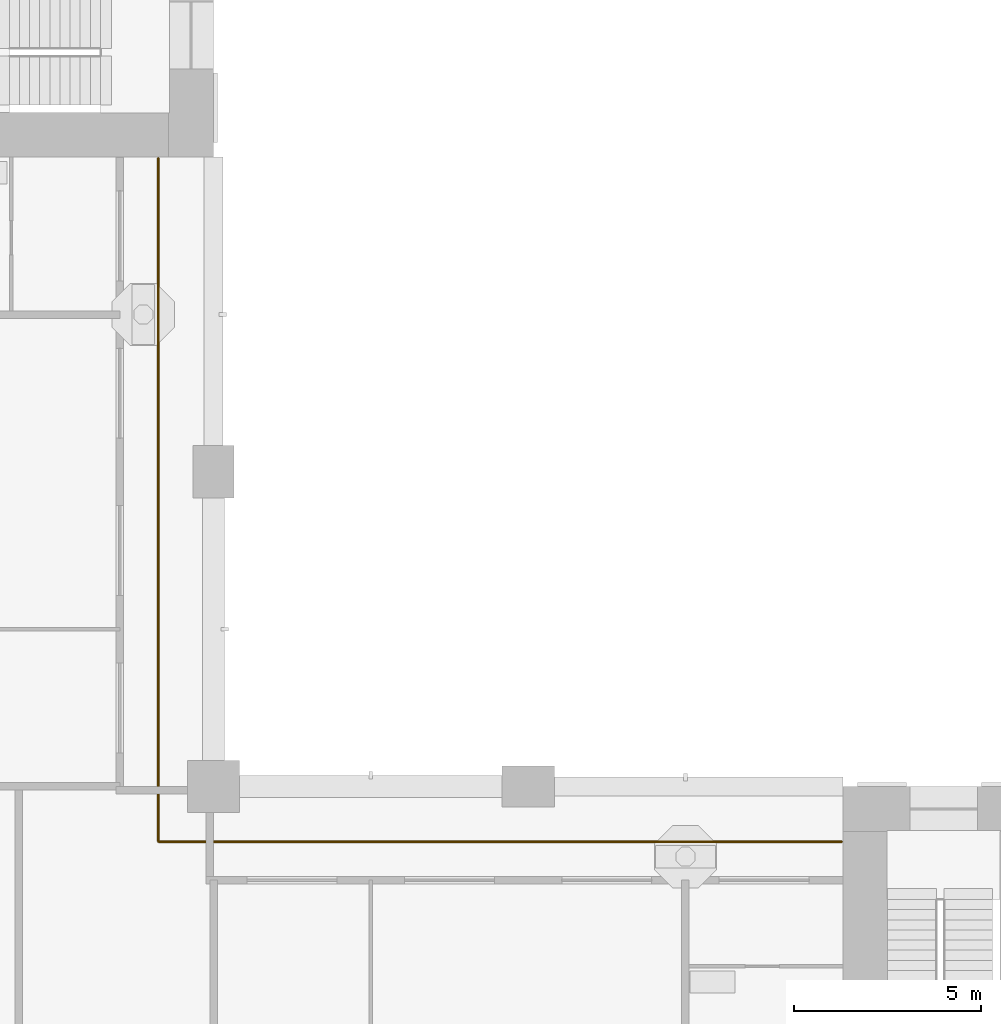
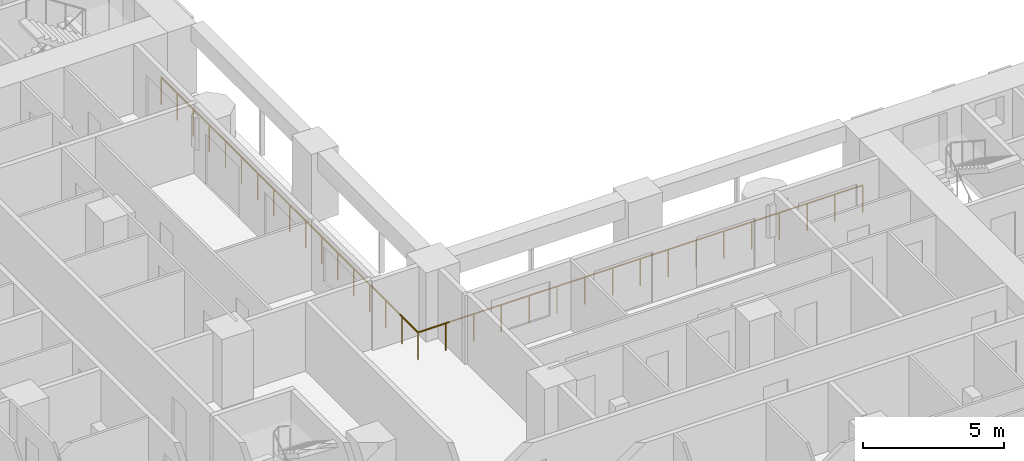
# One storey, part 17 of 21: 1 railing.
"""IFC4 building model written with IfcOpenShell, lengths in metres."""

import ifcopenshell
import ifcopenshell.guid

model = None  # the IFC model being written
_history = None  # IfcOwnerHistory: only IFC2X3 demands one
_inside = {}  # id of a spatial element -> (the spatial element, [elements in it])
_under = {}  # id of a project, library or spatial element -> (it, [spatial elements below it])
_declared = {}  # id of a project -> (the project, [libraries it declares])
_typed = {}  # id of a type object -> (the type object, [elements of that type])
_made_of = {}  # id of a material, layer set ... -> (it, [elements and type objects made of it])


def new_model(schema):
    """Start an empty IFC model of exactly this schema.

    Asked for "IFC4X3", IfcOpenShell would pick the latest addendum, in which some entities
    have other attributes; the version numbers below select the first issue.
    IFC2X3 requires an IfcOwnerHistory on every rooted entity: one is made here for all.
    """
    global model, _history
    if schema == "IFC4X3":
        model = ifcopenshell.file(schema_version=(4, 3, 0, 0))
    else:
        model = ifcopenshell.file(schema=schema)
    _inside.clear()
    _under.clear()
    _declared.clear()
    _typed.clear()
    _made_of.clear()
    _history = None
    if model.schema == "IFC2X3":
        org = make("IfcOrganization", Name="unknown")
        user = make(
            "IfcPersonAndOrganization",
            ThePerson=make("IfcPerson", FamilyName="unknown"),
            TheOrganization=org,
        )
        app = make(
            "IfcApplication",
            ApplicationDeveloper=org,
            Version="unknown",
            ApplicationFullName="unknown",
            ApplicationIdentifier="unknown",
        )
        _history = make(
            "IfcOwnerHistory",
            OwningUser=user,
            OwningApplication=app,
            ChangeAction="ADDED",
            CreationDate=0,
        )
    return model


def make(cls, **values):
    """One entity of the class cls with the attributes given. An attribute that is None is left unset."""
    return model.create_entity(
        cls, **{name: value for name, value in values.items() if value is not None}
    )


def rooted(cls, **values):
    """An entity with a GlobalId (a new one), such as an element, a storey or a relation."""
    return make(cls, GlobalId=ifcopenshell.guid.new(), OwnerHistory=_history, **values)


def si_unit(unit_type, name, prefix=None):
    """IfcSIUnit, for example si_unit("LENGTHUNIT", "METRE", prefix="MILLI")."""
    return make("IfcSIUnit", UnitType=unit_type, Prefix=prefix, Name=name)


def assignment(units):
    """IfcUnitAssignment: the units of a project."""
    return None if units is None else make("IfcUnitAssignment", Units=units)


def point(xyz):
    """IfcCartesianPoint."""
    return None if xyz is None else make("IfcCartesianPoint", Coordinates=xyz)


def direction(xyz):
    """IfcDirection."""
    return None if xyz is None else make("IfcDirection", DirectionRatios=xyz)


def frame(location, z_axis=None, x_axis=None):
    """IfcAxis2Placement3D, a coordinate frame: its origin and axes. An axis left out is left unset."""
    return make(
        "IfcAxis2Placement3D",
        Location=point(location),
        Axis=direction(z_axis),
        RefDirection=direction(x_axis),
    )


def frame_2d(location, x_axis=None):
    """IfcAxis2Placement2D, a coordinate frame in the plane: its origin and x axis."""
    return make(
        "IfcAxis2Placement2D", Location=point(location), RefDirection=direction(x_axis)
    )


def origin():
    """The frame at (0, 0, 0) with its axes left unset."""
    return frame((0.0, 0.0, 0.0))


def origin_2d():
    """The frame at (0, 0) in the plane with its x axis left unset."""
    return frame_2d((0.0, 0.0))


def place(relative_to, where):
    """IfcLocalPlacement: puts the frame where relative to a parent placement (None: the world)."""
    return make(
        "IfcLocalPlacement", PlacementRelTo=relative_to, RelativePlacement=where
    )


def context(
    kind, dimensions, precision=None, world=None, true_north=None, identifier=None
):
    """IfcGeometricRepresentationContext, for example the 3D "Model" context."""
    return make(
        "IfcGeometricRepresentationContext",
        ContextIdentifier=identifier,
        ContextType=kind,
        CoordinateSpaceDimension=dimensions,
        Precision=precision,
        WorldCoordinateSystem=world,
        TrueNorth=true_north,
    )


def subcontext(parent, identifier, kind, view, scale=None):
    """IfcGeometricRepresentationSubContext, for example "Body" below "Model"."""
    return make(
        "IfcGeometricRepresentationSubContext",
        ContextIdentifier=identifier,
        ContextType=kind,
        ParentContext=parent,
        TargetScale=scale,
        TargetView=view,
    )


def project(units=None, contexts=None):
    """IfcProject with its units and contexts."""
    return rooted(
        "IfcProject",
        Name="project",
        RepresentationContexts=contexts,
        UnitsInContext=assignment(units),
    )


def spatial(cls, under=None, at=None, **own):
    """A site, building, storey or space (cls), placed at a placement, below another one or the project."""
    s = rooted(cls, ObjectPlacement=at, **own)
    if under is not None:
        _under.setdefault(under.id(), (under, []))[1].append(s)
    return s


def profile(cls, at=None, kind="AREA", **sizes):
    """A parametric profile (cls). Its sizes go by their IFC names, for example OverallWidth=200.0."""
    return make(cls, ProfileType=kind, Position=at, **sizes)


def circle(**sizes):
    """IfcCircleProfileDef."""
    return profile("IfcCircleProfileDef", **sizes)


def extrude(swept, where, along, depth):
    """IfcExtrudedAreaSolid: the profile swept, set in the frame where, extruded along a direction by depth."""
    return make(
        "IfcExtrudedAreaSolid",
        SweptArea=swept,
        Position=where,
        ExtrudedDirection=direction(along),
        Depth=depth,
    )


def shape(context_of_items, identifier, shape_type, items):
    """IfcShapeRepresentation: the items that make up one representation, for example the "Body"."""
    return make(
        "IfcShapeRepresentation",
        ContextOfItems=context_of_items,
        RepresentationIdentifier=identifier,
        RepresentationType=shape_type,
        Items=items,
    )


def material(Name=None, Category=None):
    """IfcMaterial."""
    return make("IfcMaterial", Name=Name, Category=Category)


def made_of(thing, what):
    """Note that an element or type object is made of a material, layer set ...; save() writes the relation."""
    if what is not None:
        _made_of.setdefault(what.id(), (what, []))[1].append(thing)
    return thing


def type_object(cls, material=None, **own):
    """A type object (cls), such as IfcWallType, which elements share."""
    return made_of(rooted(cls, **own), material)


def element(
    cls,
    number,
    at=None,
    inside=None,
    cuts=None,
    type_object=None,
    material=None,
    context=None,
    identifier="Body",
    shape_type=None,
    held_by="IfcProductDefinitionShape",
    body=None,
    shapes=None,
    **own,
):
    """One element of the class cls, such as IfcWall. Its Tag is "e" and its number.

    at: its placement. inside: the storey or other place that contains it. cuts: it is an
    opening in that element (IfcRelVoidsElement). A single representation is given by context,
    identifier, shape_type and body (its items); several are given by shapes. held_by: the class
    of the entity that holds the representations. save() writes the other relations.
    """
    e = rooted(cls, Tag="e%d" % number, ObjectPlacement=at, **own)
    if body is not None:
        shapes = [shape(context, identifier, shape_type, body)]
    if shapes is not None:
        e.Representation = make(held_by, Representations=shapes)
    if inside is not None:
        _inside.setdefault(inside.id(), (inside, []))[1].append(e)
    if cuts is not None:
        rooted(
            "IfcRelVoidsElement", RelatingBuildingElement=cuts, RelatedOpeningElement=e
        )
    if type_object is not None:
        _typed.setdefault(type_object.id(), (type_object, []))[1].append(e)
    return made_of(e, material)


def aggregate(whole, parts):
    """IfcRelAggregates: a whole, such as a stair, and the parts it consists of."""
    return rooted("IfcRelAggregates", RelatingObject=whole, RelatedObjects=parts)


def save(model, path):
    """Write the relations noted so far, then the file.

    IfcRelAggregates (storeys below a building ...), IfcRelContainedInSpatialStructure (elements
    in a storey), IfcRelDefinesByType, IfcRelAssociatesMaterial and IfcRelDeclares: one each for
    every whole, place, type object, material and project.
    """
    for whole, parts in _under.values():
        aggregate(whole, parts)
    for where, things in _inside.values():
        rooted(
            "IfcRelContainedInSpatialStructure",
            RelatedElements=things,
            RelatingStructure=where,
        )
    for kind, things in _typed.values():
        rooted("IfcRelDefinesByType", RelatedObjects=things, RelatingType=kind)
    for what, things in _made_of.values():
        rooted("IfcRelAssociatesMaterial", RelatedObjects=things, RelatingMaterial=what)
    for by, libraries in _declared.values():
        rooted("IfcRelDeclares", RelatingContext=by, RelatedDefinitions=libraries)
    model.write(path)


model = new_model("IFC4")

# Units and contexts
model_context = context("Model", 3, precision=1e-05, world=origin(), true_north=direction((0.0, 1.0)))
body_context = subcontext(model_context, "Body", "Model", "MODEL_VIEW")
ifc_project = project(units=[si_unit("LENGTHUNIT", "METRE"), si_unit("AREAUNIT", "SQUARE_METRE"), si_unit("VOLUMEUNIT", "CUBIC_METRE"), si_unit("PLANEANGLEUNIT", "RADIAN"), si_unit("MASSUNIT", "GRAM", prefix="KILO")], contexts=[model_context])

# Site, building, storey
site_placement = place(None, origin())
site = spatial("IfcSite", under=ifc_project, at=site_placement, CompositionType="ELEMENT")
building_placement = place(site_placement, origin())
building = spatial("IfcBuilding", under=site, at=building_placement, Name="Vermilion Gate Residences", CompositionType="ELEMENT")
storey_placement = place(building_placement, frame((0.0, 0.0, 70.699951171875)))
storey = spatial("IfcBuildingStorey", under=building, at=storey_placement, Name="L17", CompositionType="ELEMENT", Elevation=70.699951171875)

# Railing
ifc_material = material(Name="Stainless steel and toughened glass", Category="steel")
railing_type = type_object("IfcRailingType", Name="LOGGIA GUARD STEEL AND GLASS 1200", PredefinedType="GUARDRAIL", material=ifc_material)
railing_placement = place(storey_placement, frame((41.97802734375, 23.72509765625, 0.0)))
element("IfcRailing", 1, at=railing_placement, inside=storey, type_object=railing_type, Name="Loggia guard", PredefinedType="GUARDRAIL", context=body_context, shape_type="SweptSolid", body=[
    extrude(circle(Radius=0.030029296875, at=origin_2d()), frame((0.0, 0.0, 1.169921875), z_axis=(-1.0, 0.0, 0.0), x_axis=(0.0, -1.0, 0.0)), (0.0, 0.0, 1.0), 18.2529296875),
    extrude(circle(Radius=0.030029296875, at=origin_2d()), frame((-18.2529296875, 0.0, 1.169921875), z_axis=(0.0, 1.0, 0.0), x_axis=(-1.0, 0.0, 0.0)), (0.0, 0.0, 1.0), 18.2529296875),
    extrude(circle(Radius=0.02490234375, at=origin_2d()), origin(), (0.0, 0.0, 1.0), 1.139892578125),
    extrude(circle(Radius=0.02490234375, at=origin_2d()), frame((-1.140869140625, 0.0, 0.0)), (0.0, 0.0, 1.0), 1.139892578125),
    extrude(circle(Radius=0.02490234375, at=origin_2d()), frame((-2.28173828125, 0.0, 0.0)), (0.0, 0.0, 1.0), 1.139892578125),
    extrude(circle(Radius=0.02490234375, at=origin_2d()), frame((-3.42236328125, 0.0, 0.0)), (0.0, 0.0, 1.0), 1.139892578125),
    extrude(circle(Radius=0.02490234375, at=origin_2d()), frame((-4.563232421875, 0.0, 0.0)), (0.0, 0.0, 1.0), 1.139892578125),
    extrude(circle(Radius=0.02490234375, at=origin_2d()), frame((-5.7041015625, 0.0, 0.0)), (0.0, 0.0, 1.0), 1.139892578125),
    extrude(circle(Radius=0.02490234375, at=origin_2d()), frame((-6.8447265625, 0.0, 0.0)), (0.0, 0.0, 1.0), 1.139892578125),
    extrude(circle(Radius=0.02490234375, at=origin_2d()), frame((-7.985595703125, 0.0, 0.0)), (0.0, 0.0, 1.0), 1.139892578125),
    extrude(circle(Radius=0.02490234375, at=origin_2d()), frame((-9.12646484375, 0.0, 0.0)), (0.0, 0.0, 1.0), 1.139892578125),
    extrude(circle(Radius=0.02490234375, at=origin_2d()), frame((-10.267333984375, 0.0, 0.0)), (0.0, 0.0, 1.0), 1.139892578125),
    extrude(circle(Radius=0.02490234375, at=origin_2d()), frame((-11.408203125, 0.0, 0.0)), (0.0, 0.0, 1.0), 1.139892578125),
    extrude(circle(Radius=0.02490234375, at=origin_2d()), frame((-12.548828125, 0.0, 0.0)), (0.0, 0.0, 1.0), 1.139892578125),
    extrude(circle(Radius=0.02490234375, at=origin_2d()), frame((-13.689697265625, 0.0, 0.0)), (0.0, 0.0, 1.0), 1.139892578125),
    extrude(circle(Radius=0.02490234375, at=origin_2d()), frame((-14.83056640625, 0.0, 0.0)), (0.0, 0.0, 1.0), 1.139892578125),
    extrude(circle(Radius=0.02490234375, at=origin_2d()), frame((-15.97119140625, 0.0, 0.0)), (0.0, 0.0, 1.0), 1.139892578125),
    extrude(circle(Radius=0.02490234375, at=origin_2d()), frame((-17.112060546875, 0.0, 0.0)), (0.0, 0.0, 1.0), 1.139892578125),
    extrude(circle(Radius=0.02490234375, at=origin_2d()), frame((-18.2529296875, 0.0, 0.0)), (0.0, 0.0, 1.0), 1.139892578125),
    extrude(circle(Radius=0.02490234375, at=origin_2d()), frame((-18.2529296875, 1.140869140625, 0.0)), (0.0, 0.0, 1.0), 1.139892578125),
    extrude(circle(Radius=0.02490234375, at=origin_2d()), frame((-18.2529296875, 2.28173828125, 0.0)), (0.0, 0.0, 1.0), 1.139892578125),
    extrude(circle(Radius=0.02490234375, at=origin_2d()), frame((-18.2529296875, 3.42236328125, 0.0)), (0.0, 0.0, 1.0), 1.139892578125),
    extrude(circle(Radius=0.02490234375, at=origin_2d()), frame((-18.2529296875, 4.563232421875, 0.0)), (0.0, 0.0, 1.0), 1.139892578125),
    extrude(circle(Radius=0.02490234375, at=origin_2d()), frame((-18.2529296875, 5.7041015625, 0.0)), (0.0, 0.0, 1.0), 1.139892578125),
    extrude(circle(Radius=0.02490234375, at=origin_2d()), frame((-18.2529296875, 6.8447265625, 0.0)), (0.0, 0.0, 1.0), 1.139892578125),
    extrude(circle(Radius=0.02490234375, at=origin_2d()), frame((-18.2529296875, 7.985595703125, 0.0)), (0.0, 0.0, 1.0), 1.139892578125),
    extrude(circle(Radius=0.02490234375, at=origin_2d()), frame((-18.2529296875, 9.12646484375, 0.0)), (0.0, 0.0, 1.0), 1.139892578125),
    extrude(circle(Radius=0.02490234375, at=origin_2d()), frame((-18.2529296875, 10.267333984375, 0.0)), (0.0, 0.0, 1.0), 1.139892578125),
    extrude(circle(Radius=0.02490234375, at=origin_2d()), frame((-18.2529296875, 11.408203125, 0.0)), (0.0, 0.0, 1.0), 1.139892578125),
    extrude(circle(Radius=0.02490234375, at=origin_2d()), frame((-18.2529296875, 12.548828125, 0.0)), (0.0, 0.0, 1.0), 1.139892578125),
    extrude(circle(Radius=0.02490234375, at=origin_2d()), frame((-18.2529296875, 13.689697265625, 0.0)), (0.0, 0.0, 1.0), 1.139892578125),
    extrude(circle(Radius=0.02490234375, at=origin_2d()), frame((-18.2529296875, 14.83056640625, 0.0)), (0.0, 0.0, 1.0), 1.139892578125),
    extrude(circle(Radius=0.02490234375, at=origin_2d()), frame((-18.2529296875, 15.97119140625, 0.0)), (0.0, 0.0, 1.0), 1.139892578125),
    extrude(circle(Radius=0.02490234375, at=origin_2d()), frame((-18.2529296875, 17.112060546875, 0.0)), (0.0, 0.0, 1.0), 1.139892578125),
    extrude(circle(Radius=0.02490234375, at=origin_2d()), frame((-18.2529296875, 18.2529296875, 0.0)), (0.0, 0.0, 1.0), 1.139892578125),
])

save(model, "model.ifc")
